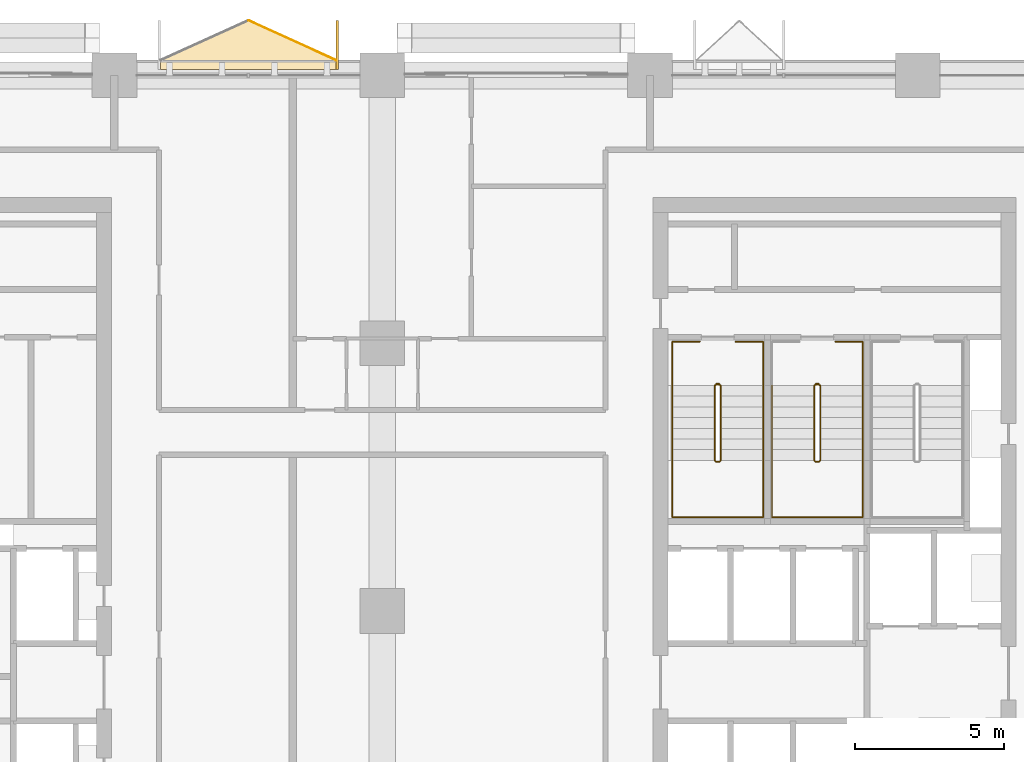
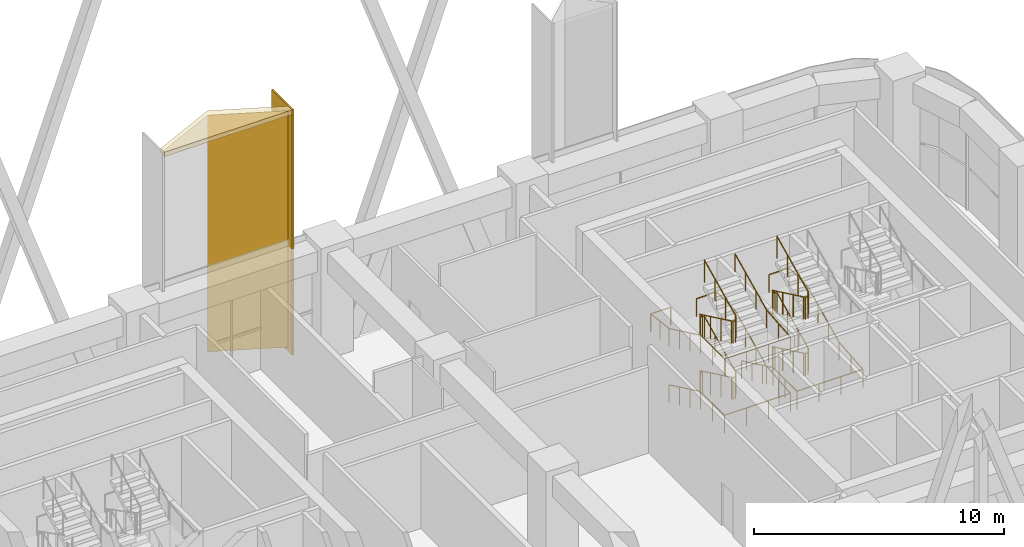
# One storey, part 21 of 22: 5 railings, 3 coverings.
"""IFC4 building model written with IfcOpenShell, lengths in metres."""

from ifc_helpers import new_model, si_unit, direction, frame, origin, origin_2d, place, context, subcontext, project, spatial, polyline, rectangle, circle, outline, extrude, material, layer, layer_set, type_object, element, save


model = new_model("IFC4")

# Units and contexts
model_context = context("Model", 3, precision=1e-05, world=origin(), true_north=direction((0.0, 1.0)))
body_context = subcontext(model_context, "Body", "Model", "MODEL_VIEW")
ifc_project = project(units=[si_unit("LENGTHUNIT", "METRE"), si_unit("AREAUNIT", "SQUARE_METRE"), si_unit("VOLUMEUNIT", "CUBIC_METRE"), si_unit("PLANEANGLEUNIT", "RADIAN"), si_unit("MASSUNIT", "GRAM", prefix="KILO")], contexts=[model_context])

# Site, building, storey
site_placement = place(None, origin())
site = spatial("IfcSite", under=ifc_project, at=site_placement, CompositionType="ELEMENT")
building_placement = place(site_placement, origin())
building = spatial("IfcBuilding", under=site, at=building_placement, Name="Tessera Arch", CompositionType="ELEMENT")
storey_placement = place(building_placement, frame((0.0, 0.0, 129.39990234375)))
storey = spatial("IfcBuildingStorey", under=building, at=storey_placement, Name="L30", CompositionType="ELEMENT", Elevation=129.39990234375)

# Railings
ifc_material_1 = material(Name="Painted steel balustrade", Category="steel")
railing_type_1 = type_object("IfcRailingType", Name="Stair guard 1100", PredefinedType="GUARDRAIL", material=ifc_material_1)
railing_1_placement = place(storey_placement, frame((38.219970703125, 43.6298828125, 0.0)))
element("IfcRailing", 1, at=railing_1_placement, inside=storey, type_object=railing_type_1, Name="L30 S1a stair guard 1", PredefinedType="GUARDRAIL", context=body_context, shape_type="SweptSolid", body=[
    extrude(circle(Radius=0.02392578125, at=origin_2d()), frame((-0.00390625, 0.0, 1.076171875), z_axis=(1.0, 0.0, 0.0), x_axis=(0.0, 1.0, 0.0)), (0.0, 0.0, 1.0), 0.1181640625),
    extrude(circle(Radius=0.02392578125, at=origin_2d()), frame((0.11279296875, 0.000732421875, 1.0732421875), z_axis=(-0.666903644926, -0.207390767629, 0.715701472603), x_axis=(0.296948579431, -0.954893471113, 0.0)), (0.0, 0.0, 1.0), 0.248046875),
    extrude(circle(Radius=0.02392578125, at=origin_2d()), frame((-0.050048828125, -0.046142578125, 1.24609375), z_axis=(0.0, -0.902426963165, 0.430842867126), x_axis=(1.0, 0.0, 0.0)), (0.0, 0.0, 1.0), 2.800537109375),
    extrude(circle(Radius=0.02392578125, at=origin_2d()), frame((-0.052978515625, -2.56689453125, 2.451171875), z_axis=(0.707106781187, -0.707106781187, 0.0), x_axis=(0.707106781187, 0.707106781187, 0.0)), (0.0, 0.0, 1.0), 0.078857421875),
    extrude(circle(Radius=0.02392578125, at=origin_2d()), frame((-0.00390625, -2.619873046875, 2.451171875), z_axis=(1.0, 0.0, 0.0), x_axis=(0.0, 1.0, 0.0)), (0.0, 0.0, 1.0), 0.1181640625),
    extrude(circle(Radius=0.02392578125, at=origin_2d()), frame((0.109130859375, -2.620849609375, 2.447265625), z_axis=(0.268036860282, 0.26935076646, 0.924989949209), x_axis=(-0.708833529934, 0.705375805398, 0.0)), (0.0, 0.0, 1.0), 0.19384765625),
    extrude(circle(Radius=0.02392578125, at=origin_2d()), frame((0.159912109375, -2.573486328125, 2.62109375), z_axis=(0.0, 0.902426963165, 0.430842867126), x_axis=(-1.0, 0.0, 0.0)), (0.0, 0.0, 1.0), 2.800537109375),
    extrude(circle(Radius=0.02392578125, at=origin_2d()), frame((0.163818359375, -0.051025390625, 3.826171875), z_axis=(-0.954764847777, 0.297361876254, 0.0), x_axis=(-0.297361876254, -0.954764847777, 0.0)), (0.0, 0.0, 1.0), 0.175537109375),
    extrude(circle(Radius=0.02392578125, at=origin_2d()), frame((-0.00390625, 0.0, 3.826171875), z_axis=(1.0, 0.0, 0.0), x_axis=(0.0, 1.0, 0.0)), (0.0, 0.0, 1.0), 0.1181640625),
    extrude(circle(Radius=0.02392578125, at=origin_2d()), frame((0.11279296875, 0.000732421875, 3.8232421875), z_axis=(-0.666903644926, -0.207390767629, 0.715701472603), x_axis=(0.296948579431, -0.954893471113, 0.0)), (0.0, 0.0, 1.0), 0.248046875),
    extrude(circle(Radius=0.02392578125, at=origin_2d()), frame((-0.050048828125, -0.046142578125, 3.99609375), z_axis=(0.0, -0.902426963165, 0.430842867126), x_axis=(1.0, 0.0, 0.0)), (0.0, 0.0, 1.0), 2.800537109375),
    extrude(circle(Radius=0.02392578125, at=origin_2d()), frame((-0.052978515625, -2.56689453125, 5.201171875), z_axis=(0.707106781187, -0.707106781187, 0.0), x_axis=(0.707106781187, 0.707106781187, 0.0)), (0.0, 0.0, 1.0), 0.078857421875),
    extrude(circle(Radius=0.02392578125, at=origin_2d()), frame((-0.00390625, -2.619873046875, 5.201171875), z_axis=(1.0, 0.0, 0.0), x_axis=(0.0, 1.0, 0.0)), (0.0, 0.0, 1.0), 0.1181640625),
    extrude(circle(Radius=0.02392578125, at=origin_2d()), frame((0.109130859375, -2.620849609375, 5.197265625), z_axis=(0.268036860282, 0.26935076646, 0.924989949209), x_axis=(-0.708833529934, 0.705375805398, 0.0)), (0.0, 0.0, 1.0), 0.19384765625),
    extrude(circle(Radius=0.02392578125, at=origin_2d()), frame((0.159912109375, -2.573486328125, 5.37109375), z_axis=(0.0, 0.902426963165, 0.430842867126), x_axis=(-1.0, 0.0, 0.0)), (0.0, 0.0, 1.0), 2.800537109375),
    extrude(circle(Radius=0.02099609375, at=origin_2d()), origin(), (0.0, 0.0, 1.0), 1.06396484375),
    extrude(circle(Radius=0.02099609375, at=origin_2d()), frame((0.110107421875, 0.0, 0.0)), (0.0, 0.0, 1.0), 1.06396484375),
    extrude(circle(Radius=0.02099609375, at=origin_2d()), frame((-0.050048828125, -0.0498046875, 0.171875)), (0.0, 0.0, 1.0), 1.06396484375),
    extrude(circle(Radius=0.02099609375, at=origin_2d()), frame((-0.050048828125, -0.889892578125, 0.572998046875)), (0.0, 0.0, 1.0), 1.06396484375),
    extrude(circle(Radius=0.02099609375, at=origin_2d()), frame((-0.050048828125, -1.729736328125, 0.973876953125)), (0.0, 0.0, 1.0), 1.06396484375),
    extrude(circle(Radius=0.02099609375, at=origin_2d()), frame((-0.050048828125, -2.56982421875, 1.375)), (0.0, 0.0, 1.0), 1.06396484375),
    extrude(circle(Radius=0.02099609375, at=origin_2d()), frame((0.0, -2.619873046875, 1.375)), (0.0, 0.0, 1.0), 1.06396484375),
    extrude(circle(Radius=0.02099609375, at=origin_2d()), frame((0.110107421875, -2.619873046875, 1.375)), (0.0, 0.0, 1.0), 1.06396484375),
    extrude(circle(Radius=0.02099609375, at=origin_2d()), frame((0.159912109375, -2.56982421875, 1.546875)), (0.0, 0.0, 1.0), 1.06396484375),
    extrude(circle(Radius=0.02099609375, at=origin_2d()), frame((0.159912109375, -1.729736328125, 1.947998046875)), (0.0, 0.0, 1.0), 1.06396484375),
    extrude(circle(Radius=0.02099609375, at=origin_2d()), frame((0.159912109375, -0.889892578125, 2.348876953125)), (0.0, 0.0, 1.0), 1.06396484375),
    extrude(circle(Radius=0.02099609375, at=origin_2d()), frame((0.159912109375, -0.0498046875, 2.75)), (0.0, 0.0, 1.0), 1.06396484375),
    extrude(circle(Radius=0.02099609375, at=origin_2d()), frame((0.0, 0.0, 2.75)), (0.0, 0.0, 1.0), 1.06396484375),
    extrude(circle(Radius=0.02099609375, at=origin_2d()), frame((0.110107421875, 0.0, 2.75)), (0.0, 0.0, 1.0), 1.06396484375),
    extrude(circle(Radius=0.02099609375, at=origin_2d()), frame((-0.050048828125, -0.0498046875, 2.921875)), (0.0, 0.0, 1.0), 1.06396484375),
    extrude(circle(Radius=0.02099609375, at=origin_2d()), frame((-0.050048828125, -0.889892578125, 3.322998046875)), (0.0, 0.0, 1.0), 1.06396484375),
    extrude(circle(Radius=0.02099609375, at=origin_2d()), frame((-0.050048828125, -1.729736328125, 3.723876953125)), (0.0, 0.0, 1.0), 1.06396484375),
    extrude(circle(Radius=0.02099609375, at=origin_2d()), frame((-0.050048828125, -2.56982421875, 4.125)), (0.0, 0.0, 1.0), 1.06396484375),
    extrude(circle(Radius=0.02099609375, at=origin_2d()), frame((0.0, -2.619873046875, 4.125)), (0.0, 0.0, 1.0), 1.06396484375),
    extrude(circle(Radius=0.02099609375, at=origin_2d()), frame((0.110107421875, -2.619873046875, 4.125)), (0.0, 0.0, 1.0), 1.06396484375),
    extrude(circle(Radius=0.02099609375, at=origin_2d()), frame((0.159912109375, -2.56982421875, 4.296875)), (0.0, 0.0, 1.0), 1.06396484375),
    extrude(circle(Radius=0.02099609375, at=origin_2d()), frame((0.159912109375, -1.729736328125, 4.697998046875)), (0.0, 0.0, 1.0), 1.06396484375),
    extrude(circle(Radius=0.02099609375, at=origin_2d()), frame((0.159912109375, -0.889892578125, 5.098876953125)), (0.0, 0.0, 1.0), 1.06396484375),
    extrude(circle(Radius=0.02099609375, at=origin_2d()), frame((0.159912109375, -0.0498046875, 5.5)), (0.0, 0.0, 1.0), 1.06396484375),
])
railing_2_placement = place(storey_placement, frame((41.570068359375, 43.6298828125, 0.0)))
element("IfcRailing", 2, at=railing_2_placement, inside=storey, type_object=railing_type_1, Name="L30 S1b stair guard 1", PredefinedType="GUARDRAIL", context=body_context, shape_type="SweptSolid", body=[
    extrude(circle(Radius=0.02392578125, at=origin_2d()), frame((-0.00390625, 0.0, 1.076171875), z_axis=(1.0, 0.0, 0.0), x_axis=(0.0, 1.0, 0.0)), (0.0, 0.0, 1.0), 0.117919921875),
    extrude(circle(Radius=0.02392578125, at=origin_2d()), frame((0.112548828125, 0.000732421875, 1.0732421875), z_axis=(-0.666338602122, -0.207531411959, 0.716186833426), x_axis=(0.297361876254, -0.954764847777, 0.0)), (0.0, 0.0, 1.0), 0.248046875),
    extrude(circle(Radius=0.02392578125, at=origin_2d()), frame((-0.050048828125, -0.046142578125, 1.24609375), z_axis=(0.0, -0.902426963165, 0.430842867126), x_axis=(1.0, 0.0, 0.0)), (0.0, 0.0, 1.0), 2.800537109375),
    extrude(circle(Radius=0.02392578125, at=origin_2d()), frame((-0.052978515625, -2.56689453125, 2.451171875), z_axis=(0.707106781187, -0.707106781187, 0.0), x_axis=(0.707106781187, 0.707106781187, 0.0)), (0.0, 0.0, 1.0), 0.078857421875),
    extrude(circle(Radius=0.02392578125, at=origin_2d()), frame((-0.00390625, -2.619873046875, 2.451171875), z_axis=(1.0, 0.0, 0.0), x_axis=(0.0, 1.0, 0.0)), (0.0, 0.0, 1.0), 0.117919921875),
    extrude(circle(Radius=0.02392578125, at=origin_2d()), frame((0.10888671875, -2.620849609375, 2.447265625), z_axis=(0.269255725606, 0.269255725606, 0.92466356501), x_axis=(-0.707106781187, 0.707106781187, 0.0)), (0.0, 0.0, 1.0), 0.19384765625),
    extrude(circle(Radius=0.02392578125, at=origin_2d()), frame((0.159912109375, -2.573486328125, 2.62109375), z_axis=(0.0, 0.902426963165, 0.430842867126), x_axis=(-1.0, 0.0, 0.0)), (0.0, 0.0, 1.0), 2.800537109375),
    extrude(circle(Radius=0.02392578125, at=origin_2d()), frame((0.163818359375, -0.051025390625, 3.826171875), z_axis=(-0.954764847777, 0.297361876254, 0.0), x_axis=(-0.297361876254, -0.954764847777, 0.0)), (0.0, 0.0, 1.0), 0.175537109375),
    extrude(circle(Radius=0.02392578125, at=origin_2d()), frame((-0.00390625, 0.0, 3.826171875), z_axis=(1.0, 0.0, 0.0), x_axis=(0.0, 1.0, 0.0)), (0.0, 0.0, 1.0), 0.117919921875),
    extrude(circle(Radius=0.02392578125, at=origin_2d()), frame((0.112548828125, 0.000732421875, 3.8232421875), z_axis=(-0.666338602122, -0.207531411959, 0.716186833426), x_axis=(0.297361876254, -0.954764847777, 0.0)), (0.0, 0.0, 1.0), 0.248046875),
    extrude(circle(Radius=0.02392578125, at=origin_2d()), frame((-0.050048828125, -0.046142578125, 3.99609375), z_axis=(0.0, -0.902426963165, 0.430842867126), x_axis=(1.0, 0.0, 0.0)), (0.0, 0.0, 1.0), 2.800537109375),
    extrude(circle(Radius=0.02392578125, at=origin_2d()), frame((-0.052978515625, -2.56689453125, 5.201171875), z_axis=(0.707106781187, -0.707106781187, 0.0), x_axis=(0.707106781187, 0.707106781187, 0.0)), (0.0, 0.0, 1.0), 0.078857421875),
    extrude(circle(Radius=0.02392578125, at=origin_2d()), frame((-0.00390625, -2.619873046875, 5.201171875), z_axis=(1.0, 0.0, 0.0), x_axis=(0.0, 1.0, 0.0)), (0.0, 0.0, 1.0), 0.117919921875),
    extrude(circle(Radius=0.02392578125, at=origin_2d()), frame((0.10888671875, -2.620849609375, 5.197265625), z_axis=(0.269255725606, 0.269255725606, 0.92466356501), x_axis=(-0.707106781187, 0.707106781187, 0.0)), (0.0, 0.0, 1.0), 0.19384765625),
    extrude(circle(Radius=0.02392578125, at=origin_2d()), frame((0.159912109375, -2.573486328125, 5.37109375), z_axis=(0.0, 0.902426963165, 0.430842867126), x_axis=(-1.0, 0.0, 0.0)), (0.0, 0.0, 1.0), 2.800537109375),
    extrude(circle(Radius=0.02099609375, at=origin_2d()), origin(), (0.0, 0.0, 1.0), 1.06396484375),
    extrude(circle(Radius=0.02099609375, at=origin_2d()), frame((0.10986328125, 0.0, 0.0)), (0.0, 0.0, 1.0), 1.06396484375),
    extrude(circle(Radius=0.02099609375, at=origin_2d()), frame((-0.050048828125, -0.0498046875, 0.171875)), (0.0, 0.0, 1.0), 1.06396484375),
    extrude(circle(Radius=0.02099609375, at=origin_2d()), frame((-0.050048828125, -0.889892578125, 0.572998046875)), (0.0, 0.0, 1.0), 1.06396484375),
    extrude(circle(Radius=0.02099609375, at=origin_2d()), frame((-0.050048828125, -1.729736328125, 0.973876953125)), (0.0, 0.0, 1.0), 1.06396484375),
    extrude(circle(Radius=0.02099609375, at=origin_2d()), frame((-0.050048828125, -2.56982421875, 1.375)), (0.0, 0.0, 1.0), 1.06396484375),
    extrude(circle(Radius=0.02099609375, at=origin_2d()), frame((0.0, -2.619873046875, 1.375)), (0.0, 0.0, 1.0), 1.06396484375),
    extrude(circle(Radius=0.02099609375, at=origin_2d()), frame((0.10986328125, -2.619873046875, 1.375)), (0.0, 0.0, 1.0), 1.06396484375),
    extrude(circle(Radius=0.02099609375, at=origin_2d()), frame((0.159912109375, -2.56982421875, 1.546875)), (0.0, 0.0, 1.0), 1.06396484375),
    extrude(circle(Radius=0.02099609375, at=origin_2d()), frame((0.159912109375, -1.729736328125, 1.947998046875)), (0.0, 0.0, 1.0), 1.06396484375),
    extrude(circle(Radius=0.02099609375, at=origin_2d()), frame((0.159912109375, -0.889892578125, 2.348876953125)), (0.0, 0.0, 1.0), 1.06396484375),
    extrude(circle(Radius=0.02099609375, at=origin_2d()), frame((0.159912109375, -0.0498046875, 2.75)), (0.0, 0.0, 1.0), 1.06396484375),
    extrude(circle(Radius=0.02099609375, at=origin_2d()), frame((0.0, 0.0, 2.75)), (0.0, 0.0, 1.0), 1.06396484375),
    extrude(circle(Radius=0.02099609375, at=origin_2d()), frame((0.10986328125, 0.0, 2.75)), (0.0, 0.0, 1.0), 1.06396484375),
    extrude(circle(Radius=0.02099609375, at=origin_2d()), frame((-0.050048828125, -0.0498046875, 2.921875)), (0.0, 0.0, 1.0), 1.06396484375),
    extrude(circle(Radius=0.02099609375, at=origin_2d()), frame((-0.050048828125, -0.889892578125, 3.322998046875)), (0.0, 0.0, 1.0), 1.06396484375),
    extrude(circle(Radius=0.02099609375, at=origin_2d()), frame((-0.050048828125, -1.729736328125, 3.723876953125)), (0.0, 0.0, 1.0), 1.06396484375),
    extrude(circle(Radius=0.02099609375, at=origin_2d()), frame((-0.050048828125, -2.56982421875, 4.125)), (0.0, 0.0, 1.0), 1.06396484375),
    extrude(circle(Radius=0.02099609375, at=origin_2d()), frame((0.0, -2.619873046875, 4.125)), (0.0, 0.0, 1.0), 1.06396484375),
    extrude(circle(Radius=0.02099609375, at=origin_2d()), frame((0.10986328125, -2.619873046875, 4.125)), (0.0, 0.0, 1.0), 1.06396484375),
    extrude(circle(Radius=0.02099609375, at=origin_2d()), frame((0.159912109375, -2.56982421875, 4.296875)), (0.0, 0.0, 1.0), 1.06396484375),
    extrude(circle(Radius=0.02099609375, at=origin_2d()), frame((0.159912109375, -1.729736328125, 4.697998046875)), (0.0, 0.0, 1.0), 1.06396484375),
    extrude(circle(Radius=0.02099609375, at=origin_2d()), frame((0.159912109375, -0.889892578125, 5.098876953125)), (0.0, 0.0, 1.0), 1.06396484375),
    extrude(circle(Radius=0.02099609375, at=origin_2d()), frame((0.159912109375, -0.0498046875, 5.5)), (0.0, 0.0, 1.0), 1.06396484375),
])
ifc_material_2 = material(Name="Painted steel handrail", Category="steel")
railing_type_2 = type_object("IfcRailingType", Name="Stair handrail 900", PredefinedType="HANDRAIL", material=ifc_material_2)
railing_3_placement = place(storey_placement, frame((36.75, 43.580078125, 0.171875)))
element("IfcRailing", 3, at=railing_3_placement, inside=storey, type_object=railing_type_2, Name="L30 S1a stair handrail", PredefinedType="HANDRAIL", context=body_context, shape_type="SweptSolid", body=[
    extrude(circle(Radius=0.02392578125, at=origin_2d()), frame((0.0, 0.003662109375, 0.8740234375), z_axis=(0.0, -0.902426963165, 0.430842867126), x_axis=(1.0, 0.0, 0.0)), (0.0, 0.0, 1.0), 2.800537109375),
    extrude(circle(Radius=0.02392578125, at=origin_2d()), frame((0.0, -2.51611328125, 2.0791015625), z_axis=(0.0, -1.0, 0.0), x_axis=(1.0, 0.0, 0.0)), (0.0, 0.0, 1.0), 1.918212890625),
    extrude(circle(Radius=0.02392578125, at=origin_2d()), frame((-0.00390625, -4.43017578125, 2.0791015625), z_axis=(1.0, 0.0, 0.0), x_axis=(0.0, 1.0, 0.0)), (0.0, 0.0, 1.0), 3.05810546875),
    extrude(circle(Radius=0.02392578125, at=origin_2d()), frame((3.050048828125, -4.43408203125, 2.07861328125), z_axis=(0.0, 0.995976256995, 0.089617495517), x_axis=(-1.0, 0.0, 0.0)), (0.0, 0.0, 1.0), 1.92578125),
    extrude(circle(Radius=0.02392578125, at=origin_2d()), frame((3.050048828125, -2.523681640625, 2.2490234375), z_axis=(0.0, 0.902426963165, 0.430842867126), x_axis=(-1.0, 0.0, 0.0)), (0.0, 0.0, 1.0), 2.800537109375),
    extrude(circle(Radius=0.02392578125, at=origin_2d()), frame((3.050048828125, -0.00390625, 3.4541015625), z_axis=(0.0, 1.0, 0.0), x_axis=(-1.0, 0.0, 0.0)), (0.0, 0.0, 1.0), 1.47802734375),
    extrude(circle(Radius=0.02392578125, at=origin_2d()), frame((3.053955078125, 1.469970703125, 3.4541015625), z_axis=(-1.0, 0.0, 0.0), x_axis=(0.0, -1.0, 0.0)), (0.0, 0.0, 1.0), 0.93310546875),
    extrude(circle(Radius=0.02099609375, at=origin_2d()), origin(), (0.0, 0.0, 1.0), 0.86376953125),
    extrude(circle(Radius=0.02099609375, at=origin_2d()), frame((0.0, -0.840087890625, 0.401123046875)), (0.0, 0.0, 1.0), 0.86376953125),
    extrude(circle(Radius=0.02099609375, at=origin_2d()), frame((0.0, -1.679931640625, 0.802001953125)), (0.0, 0.0, 1.0), 0.86376953125),
    extrude(circle(Radius=0.02099609375, at=origin_2d()), frame((0.0, -2.52001953125, 1.203125)), (0.0, 0.0, 1.0), 0.86376953125),
    extrude(circle(Radius=0.02099609375, at=origin_2d()), frame((0.0, -3.47509765625, 1.203125)), (0.0, 0.0, 1.0), 0.86376953125),
    extrude(circle(Radius=0.02099609375, at=origin_2d()), frame((0.0, -4.43017578125, 1.203125)), (0.0, 0.0, 1.0), 0.86376953125),
    extrude(circle(Radius=0.02099609375, at=origin_2d()), frame((1.0166015625, -4.43017578125, 1.203125)), (0.0, 0.0, 1.0), 0.86376953125),
    extrude(circle(Radius=0.02099609375, at=origin_2d()), frame((2.033447265625, -4.43017578125, 1.203125)), (0.0, 0.0, 1.0), 0.86376953125),
    extrude(circle(Radius=0.02099609375, at=origin_2d()), frame((3.050048828125, -4.43017578125, 1.203125)), (0.0, 0.0, 1.0), 0.86376953125),
    extrude(circle(Radius=0.02099609375, at=origin_2d()), frame((3.050048828125, -3.47509765625, 1.2890625)), (0.0, 0.0, 1.0), 0.86376953125),
    extrude(circle(Radius=0.02099609375, at=origin_2d()), frame((3.050048828125, -2.52001953125, 1.375)), (0.0, 0.0, 1.0), 0.86376953125),
    extrude(circle(Radius=0.02099609375, at=origin_2d()), frame((3.050048828125, -1.679931640625, 1.776123046875)), (0.0, 0.0, 1.0), 0.86376953125),
    extrude(circle(Radius=0.02099609375, at=origin_2d()), frame((3.050048828125, -0.840087890625, 2.177001953125)), (0.0, 0.0, 1.0), 0.86376953125),
    extrude(circle(Radius=0.02099609375, at=origin_2d()), frame((3.050048828125, 0.0, 2.578125)), (0.0, 0.0, 1.0), 0.86376953125),
    extrude(circle(Radius=0.02099609375, at=origin_2d()), frame((3.050048828125, 0.73486328125, 2.578125)), (0.0, 0.0, 1.0), 0.86376953125),
    extrude(circle(Radius=0.02099609375, at=origin_2d()), frame((3.050048828125, 1.469970703125, 2.578125)), (0.0, 0.0, 1.0), 0.86376953125),
    extrude(circle(Radius=0.02099609375, at=origin_2d()), frame((2.125, 1.469970703125, 2.578125)), (0.0, 0.0, 1.0), 0.86376953125),
])
railing_4_placement = place(storey_placement, frame((37.675048828125, 45.050048828125, 2.75)))
element("IfcRailing", 4, at=railing_4_placement, inside=storey, type_object=railing_type_2, Name="L30 S1a stair handrail 2", PredefinedType="HANDRAIL", context=body_context, shape_type="SweptSolid", body=[
    extrude(circle(Radius=0.02392578125, at=origin_2d()), frame((0.00390625, 0.0, 0.8759765625), z_axis=(-1.0, 0.0, 0.0), x_axis=(0.0, -1.0, 0.0)), (0.0, 0.0, 1.0), 0.93310546875),
    extrude(circle(Radius=0.02392578125, at=origin_2d()), frame((-0.925048828125, 0.00390625, 0.87548828125), z_axis=(0.0, -0.993233677077, 0.116132952776), x_axis=(1.0, 0.0, 0.0)), (0.0, 0.0, 1.0), 1.488037109375),
    extrude(circle(Radius=0.02392578125, at=origin_2d()), frame((-0.925048828125, -1.46630859375, 1.0458984375), z_axis=(0.0, -0.902426963165, 0.430842867126), x_axis=(1.0, 0.0, 0.0)), (0.0, 0.0, 1.0), 2.800537109375),
    extrude(circle(Radius=0.02392578125, at=origin_2d()), frame((-0.925048828125, -3.986083984375, 2.2509765625), z_axis=(0.0, -1.0, 0.0), x_axis=(1.0, 0.0, 0.0)), (0.0, 0.0, 1.0), 1.918212890625),
    extrude(circle(Radius=0.02392578125, at=origin_2d()), frame((-0.928955078125, -5.900146484375, 2.2509765625), z_axis=(1.0, 0.0, 0.0), x_axis=(0.0, 1.0, 0.0)), (0.0, 0.0, 1.0), 3.05810546875),
    extrude(circle(Radius=0.02392578125, at=origin_2d()), frame((2.125, -5.904052734375, 2.25048828125), z_axis=(0.0, 0.995976256995, 0.089617495517), x_axis=(-1.0, 0.0, 0.0)), (0.0, 0.0, 1.0), 1.92578125),
    extrude(circle(Radius=0.02392578125, at=origin_2d()), frame((2.125, -3.99365234375, 2.4208984375), z_axis=(0.0, 0.902426963165, 0.430842867126), x_axis=(-1.0, 0.0, 0.0)), (0.0, 0.0, 1.0), 2.800537109375),
    extrude(circle(Radius=0.02099609375, at=origin_2d()), origin(), (0.0, 0.0, 1.0), 0.86376953125),
    extrude(circle(Radius=0.02099609375, at=origin_2d()), frame((-0.925048828125, 0.0, 0.0)), (0.0, 0.0, 1.0), 0.86376953125),
    extrude(circle(Radius=0.02099609375, at=origin_2d()), frame((-0.925048828125, -0.73486328125, 0.0859375)), (0.0, 0.0, 1.0), 0.86376953125),
    extrude(circle(Radius=0.02099609375, at=origin_2d()), frame((-0.925048828125, -1.469970703125, 0.171875)), (0.0, 0.0, 1.0), 0.86376953125),
    extrude(circle(Radius=0.02099609375, at=origin_2d()), frame((-0.925048828125, -2.31005859375, 0.572998046875)), (0.0, 0.0, 1.0), 0.86376953125),
    extrude(circle(Radius=0.02099609375, at=origin_2d()), frame((-0.925048828125, -3.14990234375, 0.973876953125)), (0.0, 0.0, 1.0), 0.86376953125),
    extrude(circle(Radius=0.02099609375, at=origin_2d()), frame((-0.925048828125, -3.989990234375, 1.375)), (0.0, 0.0, 1.0), 0.86376953125),
    extrude(circle(Radius=0.02099609375, at=origin_2d()), frame((-0.925048828125, -4.945068359375, 1.375)), (0.0, 0.0, 1.0), 0.86376953125),
    extrude(circle(Radius=0.02099609375, at=origin_2d()), frame((-0.925048828125, -5.900146484375, 1.375)), (0.0, 0.0, 1.0), 0.86376953125),
    extrude(circle(Radius=0.02099609375, at=origin_2d()), frame((0.091552734375, -5.900146484375, 1.375)), (0.0, 0.0, 1.0), 0.86376953125),
    extrude(circle(Radius=0.02099609375, at=origin_2d()), frame((1.1083984375, -5.900146484375, 1.375)), (0.0, 0.0, 1.0), 0.86376953125),
    extrude(circle(Radius=0.02099609375, at=origin_2d()), frame((2.125, -5.900146484375, 1.375)), (0.0, 0.0, 1.0), 0.86376953125),
    extrude(circle(Radius=0.02099609375, at=origin_2d()), frame((2.125, -4.945068359375, 1.4609375)), (0.0, 0.0, 1.0), 0.86376953125),
    extrude(circle(Radius=0.02099609375, at=origin_2d()), frame((2.125, -3.989990234375, 1.546875)), (0.0, 0.0, 1.0), 0.86376953125),
    extrude(circle(Radius=0.02099609375, at=origin_2d()), frame((2.125, -3.14990234375, 1.947998046875)), (0.0, 0.0, 1.0), 0.86376953125),
    extrude(circle(Radius=0.02099609375, at=origin_2d()), frame((2.125, -2.31005859375, 2.348876953125)), (0.0, 0.0, 1.0), 0.86376953125),
    extrude(circle(Radius=0.02099609375, at=origin_2d()), frame((2.125, -1.469970703125, 2.75)), (0.0, 0.0, 1.0), 0.86376953125),
])
railing_5_placement = place(storey_placement, frame((40.10009765625, 43.580078125, 0.171875)))
element("IfcRailing", 5, at=railing_5_placement, inside=storey, type_object=railing_type_2, Name="L30 S1b stair handrail", PredefinedType="HANDRAIL", context=body_context, shape_type="SweptSolid", body=[
    extrude(circle(Radius=0.02392578125, at=origin_2d()), frame((0.0, 0.003662109375, 0.8740234375), z_axis=(0.0, -0.902426963165, 0.430842867126), x_axis=(1.0, 0.0, 0.0)), (0.0, 0.0, 1.0), 2.800537109375),
    extrude(circle(Radius=0.02392578125, at=origin_2d()), frame((0.0, -2.51611328125, 2.0791015625), z_axis=(0.0, -1.0, 0.0), x_axis=(1.0, 0.0, 0.0)), (0.0, 0.0, 1.0), 1.918212890625),
    extrude(circle(Radius=0.02392578125, at=origin_2d()), frame((-0.00390625, -4.43017578125, 2.0791015625), z_axis=(1.0, 0.0, 0.0), x_axis=(0.0, 1.0, 0.0)), (0.0, 0.0, 1.0), 3.057861328125),
    extrude(circle(Radius=0.02392578125, at=origin_2d()), frame((3.0498046875, -4.43408203125, 2.07861328125), z_axis=(0.0, 0.995976256995, 0.089617495517), x_axis=(-1.0, 0.0, 0.0)), (0.0, 0.0, 1.0), 1.92578125),
    extrude(circle(Radius=0.02392578125, at=origin_2d()), frame((3.0498046875, -2.523681640625, 2.2490234375), z_axis=(0.0, 0.902426963165, 0.430842867126), x_axis=(-1.0, 0.0, 0.0)), (0.0, 0.0, 1.0), 2.800537109375),
    extrude(circle(Radius=0.02392578125, at=origin_2d()), frame((3.0498046875, -0.00390625, 3.4541015625), z_axis=(0.0, 1.0, 0.0), x_axis=(-1.0, 0.0, 0.0)), (0.0, 0.0, 1.0), 1.47802734375),
    extrude(circle(Radius=0.02392578125, at=origin_2d()), frame((3.0537109375, 1.469970703125, 3.4541015625), z_axis=(-1.0, 0.0, 0.0), x_axis=(0.0, -1.0, 0.0)), (0.0, 0.0, 1.0), 0.932861328125),
    extrude(circle(Radius=0.02099609375, at=origin_2d()), origin(), (0.0, 0.0, 1.0), 0.86376953125),
    extrude(circle(Radius=0.02099609375, at=origin_2d()), frame((0.0, -0.840087890625, 0.401123046875)), (0.0, 0.0, 1.0), 0.86376953125),
    extrude(circle(Radius=0.02099609375, at=origin_2d()), frame((0.0, -1.679931640625, 0.802001953125)), (0.0, 0.0, 1.0), 0.86376953125),
    extrude(circle(Radius=0.02099609375, at=origin_2d()), frame((0.0, -2.52001953125, 1.203125)), (0.0, 0.0, 1.0), 0.86376953125),
    extrude(circle(Radius=0.02099609375, at=origin_2d()), frame((0.0, -3.47509765625, 1.203125)), (0.0, 0.0, 1.0), 0.86376953125),
    extrude(circle(Radius=0.02099609375, at=origin_2d()), frame((0.0, -4.43017578125, 1.203125)), (0.0, 0.0, 1.0), 0.86376953125),
    extrude(circle(Radius=0.02099609375, at=origin_2d()), frame((1.0166015625, -4.43017578125, 1.203125)), (0.0, 0.0, 1.0), 0.86376953125),
    extrude(circle(Radius=0.02099609375, at=origin_2d()), frame((2.033203125, -4.43017578125, 1.203125)), (0.0, 0.0, 1.0), 0.86376953125),
    extrude(circle(Radius=0.02099609375, at=origin_2d()), frame((3.0498046875, -4.43017578125, 1.203125)), (0.0, 0.0, 1.0), 0.86376953125),
    extrude(circle(Radius=0.02099609375, at=origin_2d()), frame((3.0498046875, -3.47509765625, 1.2890625)), (0.0, 0.0, 1.0), 0.86376953125),
    extrude(circle(Radius=0.02099609375, at=origin_2d()), frame((3.0498046875, -2.52001953125, 1.375)), (0.0, 0.0, 1.0), 0.86376953125),
    extrude(circle(Radius=0.02099609375, at=origin_2d()), frame((3.0498046875, -1.679931640625, 1.776123046875)), (0.0, 0.0, 1.0), 0.86376953125),
    extrude(circle(Radius=0.02099609375, at=origin_2d()), frame((3.0498046875, -0.840087890625, 2.177001953125)), (0.0, 0.0, 1.0), 0.86376953125),
    extrude(circle(Radius=0.02099609375, at=origin_2d()), frame((3.0498046875, 0.0, 2.578125)), (0.0, 0.0, 1.0), 0.86376953125),
    extrude(circle(Radius=0.02099609375, at=origin_2d()), frame((3.0498046875, 0.73486328125, 2.578125)), (0.0, 0.0, 1.0), 0.86376953125),
    extrude(circle(Radius=0.02099609375, at=origin_2d()), frame((3.0498046875, 1.469970703125, 2.578125)), (0.0, 0.0, 1.0), 0.86376953125),
    extrude(circle(Radius=0.02099609375, at=origin_2d()), frame((2.125, 1.469970703125, 2.578125)), (0.0, 0.0, 1.0), 0.86376953125),
])

# Coverings
ifc_material_3 = material(Name="Anodised aluminium pale metal", Category="aluminium")
ifc_layer_1 = layer(ifc_material_3, 0.080078125)
ifc_layer_set_1 = layer_set([ifc_layer_1], Name="Window box cheek")
covering_type_1 = type_object("IfcCoveringType", Name="Window box cheek", PredefinedType="CLADDING", material=ifc_layer_set_1)
covering_1_placement = place(storey_placement, origin())
element("IfcCovering", 6, at=covering_1_placement, inside=storey, type_object=covering_type_1, Name="Window box N54.0/3.0 2x3 cheek", PredefinedType="CLADDING", context=body_context, shape_type="SweptSolid", body=[
    extrude(outline(polyline([(25.530029296875, 55.85009765625), (25.449951171875, 55.85009765625), (25.449951171875, 54.199951171875), (25.530029296875, 54.199951171875), (25.530029296875, 55.85009765625)])), origin(), (0.0, 0.0, 1.0), 12.0),
])
ifc_material_4 = material(Name="Anodised aluminium pale metal", Category="aluminium")
ifc_layer_2 = layer(ifc_material_4, 0.219970703125)
ifc_layer_set_2 = layer_set([ifc_layer_2], Name="Window box frame plate pale metal")
covering_type_2 = type_object("IfcCoveringType", Name="Window box frame plate pale metal", PredefinedType="CLADDING", material=ifc_layer_set_2)
covering_2_placement = place(storey_placement, frame((0.0, 0.0, 11.780029296875)))
element("IfcCovering", 7, at=covering_2_placement, inside=storey, type_object=covering_type_2, Name="Window box N54.0/3.0 2x3 roof", PredefinedType="CLADDING", context=body_context, shape_type="SweptSolid", body=[
    extrude(outline(polyline([(25.449951171875, 54.510009765625), (22.5, 55.85009765625), (19.550048828125, 54.510009765625), (19.550048828125, 54.199951171875), (25.449951171875, 54.199951171875), (25.449951171875, 54.510009765625)])), origin(), (0.0, 0.0, 1.0), 0.219970703125),
])
ifc_material_5 = material(Name="Anodised aluminium pale metal", Category="aluminium")
ifc_layer_3 = layer(ifc_material_5, 0.028076171875)
ifc_layer_set_3 = layer_set([ifc_layer_3], Name="Window box side panel")
covering_type_3 = type_object("IfcCoveringType", Name="Window box side panel", PredefinedType="CLADDING", material=ifc_layer_set_3)
covering_3_placement = place(storey_placement, frame((23.97509765625, 55.179931640625, 0.219970703125), z_axis=(0.0, 0.0, 1.0), x_axis=(-0.910472144558, 0.413570397858, 0.0)))
element("IfcCovering", 8, at=covering_3_placement, inside=storey, type_object=covering_type_3, Name="Window box N54.0/3.0 2x3 side panel", PredefinedType="CLADDING", context=body_context, shape_type="SweptSolid", body=[
    extrude(rectangle(XDim=3.239990234375, YDim=0.028076171875, at=origin_2d()), origin(), (0.0, 0.0, 1.0), 11.56005859375),
])

save(model, "model.ifc")
